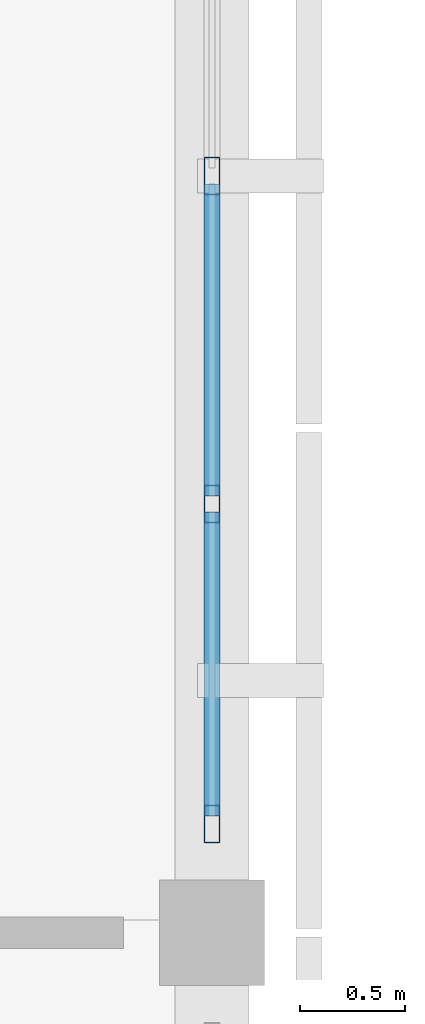
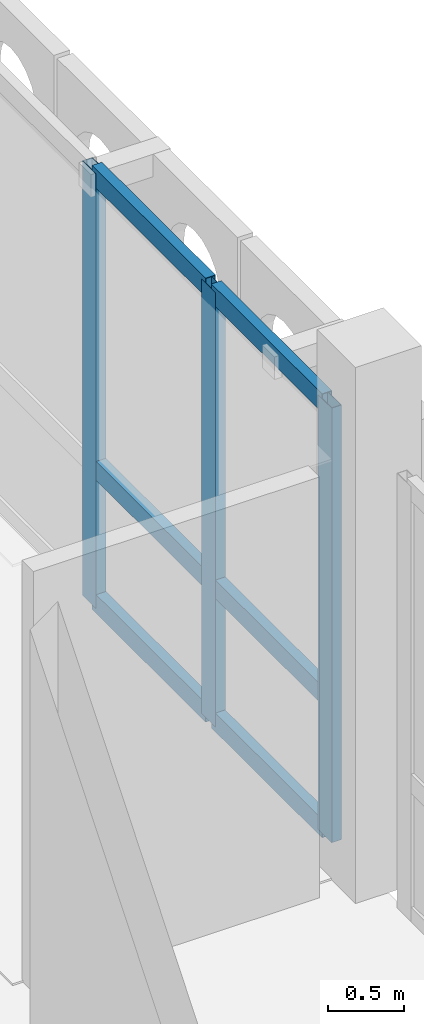
# One storey, part 45 of 171: 9 members, 1 element without a shape of its own.
"""IFC4 building model written with IfcOpenShell, lengths in metres."""

from ifc_helpers import new_model, si_unit, direction, frame, origin, origin_2d, place, context, subcontext, project, spatial, hollow_rectangle, extrude, material, material_profile, profile_set, type_object, element, aggregate, save


model = new_model("IFC4")

# Units and contexts
model_context = context("Model", 3, precision=1e-05, world=origin(), true_north=direction((0.0, 1.0)))
body_context = subcontext(model_context, "Body", "Model", "MODEL_VIEW")
ifc_project = project(units=[si_unit("LENGTHUNIT", "METRE"), si_unit("AREAUNIT", "SQUARE_METRE"), si_unit("VOLUMEUNIT", "CUBIC_METRE"), si_unit("PLANEANGLEUNIT", "RADIAN"), si_unit("MASSUNIT", "GRAM", prefix="KILO")], contexts=[model_context])

# Site, building, storey
site_placement = place(None, origin())
site = spatial("IfcSite", under=ifc_project, at=site_placement, CompositionType="ELEMENT")
building_placement = place(site_placement, origin())
building = spatial("IfcBuilding", under=site, at=building_placement, Name="Aldebral Square Health Centre", CompositionType="ELEMENT")
storey_placement = place(building_placement, frame((0.0, 0.0, 4.5)))
storey = spatial("IfcBuildingStorey", under=building, at=storey_placement, Name="L01", CompositionType="ELEMENT", Elevation=4.5)

# Curtain wall, members
ifc_material_1 = material(Name="Aluminium and low-E solar glass", Category="aluminium")
curtain_wall_type = type_object("IfcCurtainWallType", Name="CW-HALL-SYS", PredefinedType="USERDEFINED", material=ifc_material_1)
curtain_wall_placement = place(storey_placement, origin())
curtain_wall = element("IfcCurtainWall", 1, at=curtain_wall_placement, inside=storey, type_object=curtain_wall_type, Name="L01 V1 hall curtain wall L01-V1-14-11-E", ObjectType="HALL_CURTAIN_WALL", PredefinedType="USERDEFINED")
ifc_material_2 = material(Name="Anodised aluminium mullion", Category="aluminium")
ifc_material_profile_1 = material_profile(ifc_material_2, hollow_rectangle(XDim=0.074951171875, YDim=0.179931640625, WallThickness=0.00390625, at=origin_2d()), Name="CWM 75x180x4")
ifc_profile_set_1 = profile_set([ifc_material_profile_1], Name="Anodised aluminium mullion")
member_type_1 = type_object("IfcMemberType", Name="CWM-STD", PredefinedType="MULLION", material=ifc_profile_set_1)
member_1_placement = place(storey_placement, frame((108.0, 79.717529296875, 0.0), z_axis=(0.0, 0.0, 1.0), x_axis=(-1.0, 0.0, 0.0)))
member_1 = element("IfcMember", 2, at=member_1_placement, type_object=member_type_1, Name="CW2 mullion 1", PredefinedType="MULLION", context=body_context, shape_type="SweptSolid", body=[
    extrude(hollow_rectangle(XDim=0.074951171875, YDim=0.179931640625, WallThickness=0.00390625, at=origin_2d()), origin(), (0.0, 0.0, 1.0), 3.469970703125),
])
member_2_placement = place(storey_placement, frame((108.0, 81.239990234375, 0.0), z_axis=(0.0, 0.0, 1.0), x_axis=(-1.0, 0.0, 0.0)))
member_2 = element("IfcMember", 3, at=member_2_placement, type_object=member_type_1, Name="CW2 mullion 2", PredefinedType="MULLION", context=body_context, shape_type="SweptSolid", body=[
    extrude(hollow_rectangle(XDim=0.074951171875, YDim=0.179931640625, WallThickness=0.00390625, at=origin_2d()), origin(), (0.0, 0.0, 1.0), 3.469970703125),
])
member_3_placement = place(storey_placement, frame((108.0, 82.800048828125, 0.0), z_axis=(0.0, 0.0, 1.0), x_axis=(-1.0, 0.0, 0.0)))
member_3 = element("IfcMember", 4, at=member_3_placement, type_object=member_type_1, Name="CW2 mullion 3", PredefinedType="MULLION", context=body_context, shape_type="SweptSolid", body=[
    extrude(hollow_rectangle(XDim=0.074951171875, YDim=0.179931640625, WallThickness=0.00390625, at=origin_2d()), origin(), (0.0, 0.0, 1.0), 3.469970703125),
])
ifc_material_3 = material(Name="Anodised aluminium transom", Category="aluminium")
ifc_material_profile_2 = material_profile(ifc_material_3, hollow_rectangle(XDim=0.074951171875, YDim=0.14990234375, WallThickness=0.00390625, at=origin_2d()), Name="CWT 75x150x4")
ifc_profile_set_2 = profile_set([ifc_material_profile_2], Name="Anodised aluminium transom")
member_type_2 = type_object("IfcMemberType", Name="CWT-STD", PredefinedType="USERDEFINED", material=ifc_profile_set_2)
member_4_placement = place(storey_placement, frame((108.0, 79.7548828125, 0.03759765625), z_axis=(0.0, 1.0, 0.0), x_axis=(-1.0, 0.0, 0.0)))
member_4 = element("IfcMember", 5, at=member_4_placement, type_object=member_type_2, Name="CW2 transom 1.1", ObjectType="TRANSOM", PredefinedType="USERDEFINED", context=body_context, shape_type="SweptSolid", body=[
    extrude(hollow_rectangle(XDim=0.074951171875, YDim=0.14990234375, WallThickness=0.00390625, at=origin_2d()), origin(), (0.0, 0.0, 1.0), 1.447509765625),
])
member_5_placement = place(storey_placement, frame((108.0, 79.7548828125, 1.10009765625), z_axis=(0.0, 1.0, 0.0), x_axis=(-1.0, 0.0, 0.0)))
member_5 = element("IfcMember", 6, at=member_5_placement, type_object=member_type_2, Name="CW2 transom 1.2", ObjectType="TRANSOM", PredefinedType="USERDEFINED", context=body_context, shape_type="SweptSolid", body=[
    extrude(hollow_rectangle(XDim=0.074951171875, YDim=0.14990234375, WallThickness=0.00390625, at=origin_2d()), origin(), (0.0, 0.0, 1.0), 1.447509765625),
])
member_6_placement = place(storey_placement, frame((108.0, 79.7548828125, 3.4326171875), z_axis=(0.0, 1.0, 0.0), x_axis=(-1.0, 0.0, 0.0)))
member_6 = element("IfcMember", 7, at=member_6_placement, type_object=member_type_2, Name="CW2 transom 1.3", ObjectType="TRANSOM", PredefinedType="USERDEFINED", context=body_context, shape_type="SweptSolid", body=[
    extrude(hollow_rectangle(XDim=0.074951171875, YDim=0.14990234375, WallThickness=0.00390625, at=origin_2d()), origin(), (0.0, 0.0, 1.0), 1.447509765625),
])
member_7_placement = place(storey_placement, frame((108.0, 81.277587890625, 0.03759765625), z_axis=(0.0, 1.0, 0.0), x_axis=(-1.0, 0.0, 0.0)))
member_7 = element("IfcMember", 8, at=member_7_placement, type_object=member_type_2, Name="CW2 transom 2.1", ObjectType="TRANSOM", PredefinedType="USERDEFINED", context=body_context, shape_type="SweptSolid", body=[
    extrude(hollow_rectangle(XDim=0.074951171875, YDim=0.14990234375, WallThickness=0.00390625, at=origin_2d()), origin(), (0.0, 0.0, 1.0), 1.48486328125),
])
member_8_placement = place(storey_placement, frame((108.0, 81.277587890625, 1.10009765625), z_axis=(0.0, 1.0, 0.0), x_axis=(-1.0, 0.0, 0.0)))
member_8 = element("IfcMember", 9, at=member_8_placement, type_object=member_type_2, Name="CW2 transom 2.2", ObjectType="TRANSOM", PredefinedType="USERDEFINED", context=body_context, shape_type="SweptSolid", body=[
    extrude(hollow_rectangle(XDim=0.074951171875, YDim=0.14990234375, WallThickness=0.00390625, at=origin_2d()), origin(), (0.0, 0.0, 1.0), 1.48486328125),
])
member_9_placement = place(storey_placement, frame((108.0, 81.277587890625, 3.4326171875), z_axis=(0.0, 1.0, 0.0), x_axis=(-1.0, 0.0, 0.0)))
member_9 = element("IfcMember", 10, at=member_9_placement, type_object=member_type_2, Name="CW2 transom 2.3", ObjectType="TRANSOM", PredefinedType="USERDEFINED", context=body_context, shape_type="SweptSolid", body=[
    extrude(hollow_rectangle(XDim=0.074951171875, YDim=0.14990234375, WallThickness=0.00390625, at=origin_2d()), origin(), (0.0, 0.0, 1.0), 1.48486328125),
])
aggregate(curtain_wall, [member_1, member_2, member_3, member_4, member_5, member_6, member_7, member_8, member_9])

save(model, "model.ifc")
